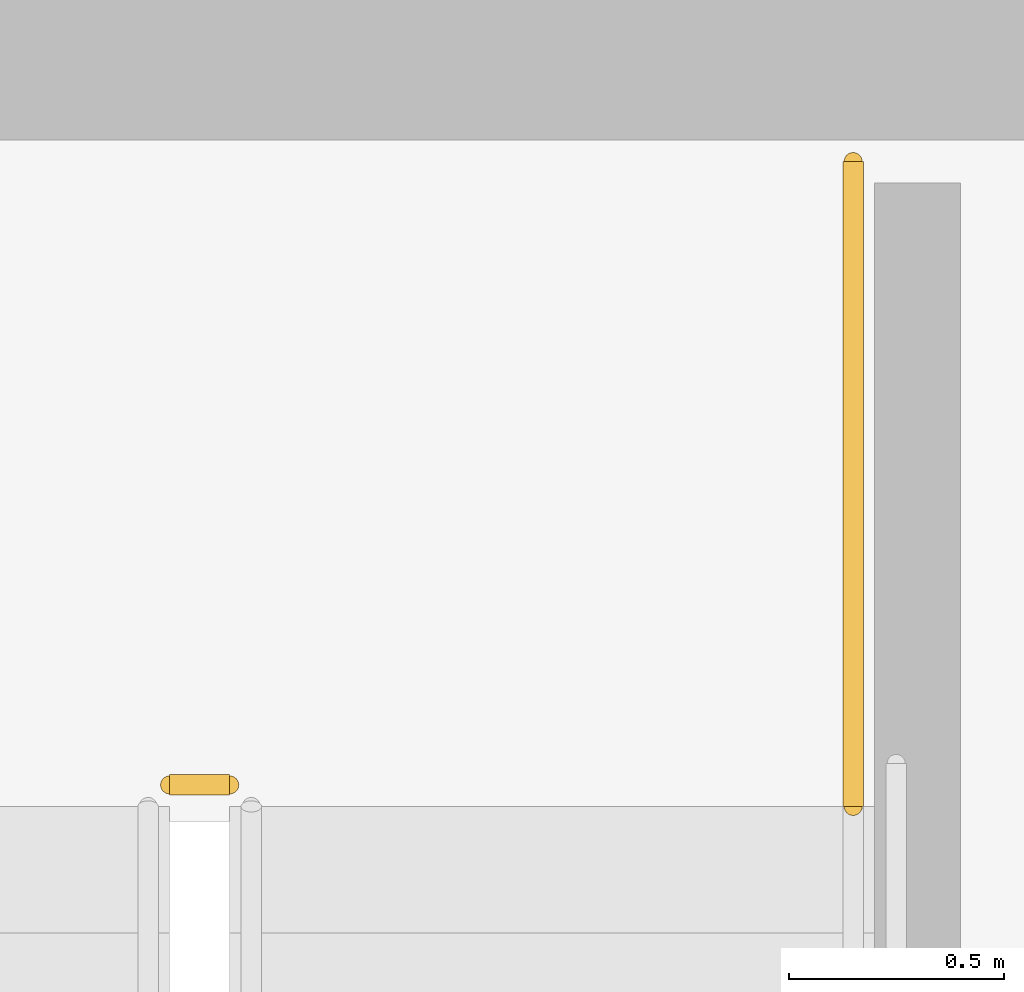
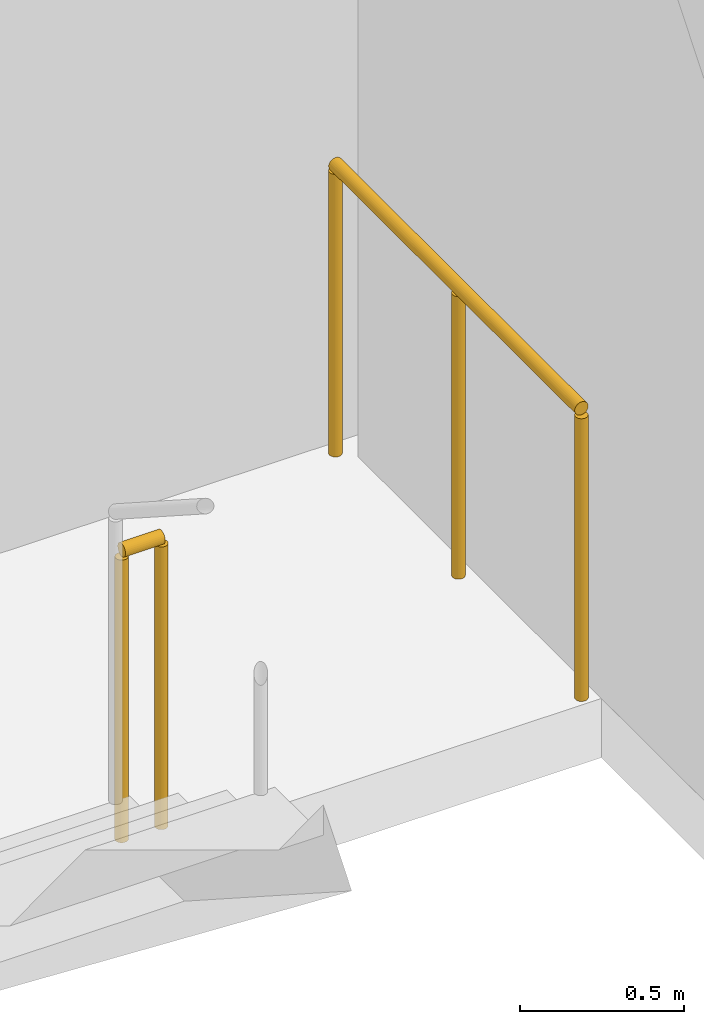
# One storey, part 33 of 33: 2 railings.
"""IFC4 building model written with IfcOpenShell, lengths in metres."""

import ifcopenshell
import ifcopenshell.guid

model = None  # the IFC model being written
_history = None  # IfcOwnerHistory: only IFC2X3 demands one
_inside = {}  # id of a spatial element -> (the spatial element, [elements in it])
_under = {}  # id of a project, library or spatial element -> (it, [spatial elements below it])
_declared = {}  # id of a project -> (the project, [libraries it declares])
_typed = {}  # id of a type object -> (the type object, [elements of that type])
_made_of = {}  # id of a material, layer set ... -> (it, [elements and type objects made of it])


def new_model(schema):
    """Start an empty IFC model of exactly this schema.

    Asked for "IFC4X3", IfcOpenShell would pick the latest addendum, in which some entities
    have other attributes; the version numbers below select the first issue.
    IFC2X3 requires an IfcOwnerHistory on every rooted entity: one is made here for all.
    """
    global model, _history
    if schema == "IFC4X3":
        model = ifcopenshell.file(schema_version=(4, 3, 0, 0))
    else:
        model = ifcopenshell.file(schema=schema)
    _inside.clear()
    _under.clear()
    _declared.clear()
    _typed.clear()
    _made_of.clear()
    _history = None
    if model.schema == "IFC2X3":
        org = make("IfcOrganization", Name="unknown")
        user = make(
            "IfcPersonAndOrganization",
            ThePerson=make("IfcPerson", FamilyName="unknown"),
            TheOrganization=org,
        )
        app = make(
            "IfcApplication",
            ApplicationDeveloper=org,
            Version="unknown",
            ApplicationFullName="unknown",
            ApplicationIdentifier="unknown",
        )
        _history = make(
            "IfcOwnerHistory",
            OwningUser=user,
            OwningApplication=app,
            ChangeAction="ADDED",
            CreationDate=0,
        )
    return model


def make(cls, **values):
    """One entity of the class cls with the attributes given. An attribute that is None is left unset."""
    return model.create_entity(
        cls, **{name: value for name, value in values.items() if value is not None}
    )


def rooted(cls, **values):
    """An entity with a GlobalId (a new one), such as an element, a storey or a relation."""
    return make(cls, GlobalId=ifcopenshell.guid.new(), OwnerHistory=_history, **values)


def si_unit(unit_type, name, prefix=None):
    """IfcSIUnit, for example si_unit("LENGTHUNIT", "METRE", prefix="MILLI")."""
    return make("IfcSIUnit", UnitType=unit_type, Prefix=prefix, Name=name)


def assignment(units):
    """IfcUnitAssignment: the units of a project."""
    return None if units is None else make("IfcUnitAssignment", Units=units)


def point(xyz):
    """IfcCartesianPoint."""
    return None if xyz is None else make("IfcCartesianPoint", Coordinates=xyz)


def direction(xyz):
    """IfcDirection."""
    return None if xyz is None else make("IfcDirection", DirectionRatios=xyz)


def frame(location, z_axis=None, x_axis=None):
    """IfcAxis2Placement3D, a coordinate frame: its origin and axes. An axis left out is left unset."""
    return make(
        "IfcAxis2Placement3D",
        Location=point(location),
        Axis=direction(z_axis),
        RefDirection=direction(x_axis),
    )


def frame_2d(location, x_axis=None):
    """IfcAxis2Placement2D, a coordinate frame in the plane: its origin and x axis."""
    return make(
        "IfcAxis2Placement2D", Location=point(location), RefDirection=direction(x_axis)
    )


def origin():
    """The frame at (0, 0, 0) with its axes left unset."""
    return frame((0.0, 0.0, 0.0))


def origin_2d():
    """The frame at (0, 0) in the plane with its x axis left unset."""
    return frame_2d((0.0, 0.0))


def place(relative_to, where):
    """IfcLocalPlacement: puts the frame where relative to a parent placement (None: the world)."""
    return make(
        "IfcLocalPlacement", PlacementRelTo=relative_to, RelativePlacement=where
    )


def context(
    kind, dimensions, precision=None, world=None, true_north=None, identifier=None
):
    """IfcGeometricRepresentationContext, for example the 3D "Model" context."""
    return make(
        "IfcGeometricRepresentationContext",
        ContextIdentifier=identifier,
        ContextType=kind,
        CoordinateSpaceDimension=dimensions,
        Precision=precision,
        WorldCoordinateSystem=world,
        TrueNorth=true_north,
    )


def subcontext(parent, identifier, kind, view, scale=None):
    """IfcGeometricRepresentationSubContext, for example "Body" below "Model"."""
    return make(
        "IfcGeometricRepresentationSubContext",
        ContextIdentifier=identifier,
        ContextType=kind,
        ParentContext=parent,
        TargetScale=scale,
        TargetView=view,
    )


def project(units=None, contexts=None):
    """IfcProject with its units and contexts."""
    return rooted(
        "IfcProject",
        Name="project",
        RepresentationContexts=contexts,
        UnitsInContext=assignment(units),
    )


def spatial(cls, under=None, at=None, **own):
    """A site, building, storey or space (cls), placed at a placement, below another one or the project."""
    s = rooted(cls, ObjectPlacement=at, **own)
    if under is not None:
        _under.setdefault(under.id(), (under, []))[1].append(s)
    return s


def profile(cls, at=None, kind="AREA", **sizes):
    """A parametric profile (cls). Its sizes go by their IFC names, for example OverallWidth=200.0."""
    return make(cls, ProfileType=kind, Position=at, **sizes)


def circle(**sizes):
    """IfcCircleProfileDef."""
    return profile("IfcCircleProfileDef", **sizes)


def extrude(swept, where, along, depth):
    """IfcExtrudedAreaSolid: the profile swept, set in the frame where, extruded along a direction by depth."""
    return make(
        "IfcExtrudedAreaSolid",
        SweptArea=swept,
        Position=where,
        ExtrudedDirection=direction(along),
        Depth=depth,
    )


def shape(context_of_items, identifier, shape_type, items):
    """IfcShapeRepresentation: the items that make up one representation, for example the "Body"."""
    return make(
        "IfcShapeRepresentation",
        ContextOfItems=context_of_items,
        RepresentationIdentifier=identifier,
        RepresentationType=shape_type,
        Items=items,
    )


def material(Name=None, Category=None):
    """IfcMaterial."""
    return make("IfcMaterial", Name=Name, Category=Category)


def layer(
    of_material, thickness, ventilated=None, Name=None, Category=None, Priority=None
):
    """IfcMaterialLayer: one layer of a wall or slab, of a material (None: an air gap)."""
    return make(
        "IfcMaterialLayer",
        Material=of_material,
        LayerThickness=thickness,
        IsVentilated=ventilated,
        Name=Name,
        Category=Category,
        Priority=Priority,
    )


def layer_set(layers, Name=None):
    """IfcMaterialLayerSet."""
    return make("IfcMaterialLayerSet", MaterialLayers=layers, LayerSetName=Name)


def made_of(thing, what):
    """Note that an element or type object is made of a material, layer set ...; save() writes the relation."""
    if what is not None:
        _made_of.setdefault(what.id(), (what, []))[1].append(thing)
    return thing


def type_object(cls, material=None, **own):
    """A type object (cls), such as IfcWallType, which elements share."""
    return made_of(rooted(cls, **own), material)


def element(
    cls,
    number,
    at=None,
    inside=None,
    cuts=None,
    type_object=None,
    material=None,
    context=None,
    identifier="Body",
    shape_type=None,
    held_by="IfcProductDefinitionShape",
    body=None,
    shapes=None,
    **own,
):
    """One element of the class cls, such as IfcWall. Its Tag is "e" and its number.

    at: its placement. inside: the storey or other place that contains it. cuts: it is an
    opening in that element (IfcRelVoidsElement). A single representation is given by context,
    identifier, shape_type and body (its items); several are given by shapes. held_by: the class
    of the entity that holds the representations. save() writes the other relations.
    """
    e = rooted(cls, Tag="e%d" % number, ObjectPlacement=at, **own)
    if body is not None:
        shapes = [shape(context, identifier, shape_type, body)]
    if shapes is not None:
        e.Representation = make(held_by, Representations=shapes)
    if inside is not None:
        _inside.setdefault(inside.id(), (inside, []))[1].append(e)
    if cuts is not None:
        rooted(
            "IfcRelVoidsElement", RelatingBuildingElement=cuts, RelatedOpeningElement=e
        )
    if type_object is not None:
        _typed.setdefault(type_object.id(), (type_object, []))[1].append(e)
    return made_of(e, material)


def aggregate(whole, parts):
    """IfcRelAggregates: a whole, such as a stair, and the parts it consists of."""
    return rooted("IfcRelAggregates", RelatingObject=whole, RelatedObjects=parts)


def save(model, path):
    """Write the relations noted so far, then the file.

    IfcRelAggregates (storeys below a building ...), IfcRelContainedInSpatialStructure (elements
    in a storey), IfcRelDefinesByType, IfcRelAssociatesMaterial and IfcRelDeclares: one each for
    every whole, place, type object, material and project.
    """
    for whole, parts in _under.values():
        aggregate(whole, parts)
    for where, things in _inside.values():
        rooted(
            "IfcRelContainedInSpatialStructure",
            RelatedElements=things,
            RelatingStructure=where,
        )
    for kind, things in _typed.values():
        rooted("IfcRelDefinesByType", RelatedObjects=things, RelatingType=kind)
    for what, things in _made_of.values():
        rooted("IfcRelAssociatesMaterial", RelatedObjects=things, RelatingMaterial=what)
    for by, libraries in _declared.values():
        rooted("IfcRelDeclares", RelatingContext=by, RelatedDefinitions=libraries)
    model.write(path)


model = new_model("IFC4")

# Units and contexts
model_context = context("Model", 3, precision=1e-05, world=origin(), true_north=direction((0.0, 1.0)))
body_context = subcontext(model_context, "Body", "Model", "MODEL_VIEW")
ifc_project = project(units=[si_unit("LENGTHUNIT", "METRE"), si_unit("AREAUNIT", "SQUARE_METRE"), si_unit("VOLUMEUNIT", "CUBIC_METRE"), si_unit("PLANEANGLEUNIT", "RADIAN"), si_unit("MASSUNIT", "GRAM", prefix="KILO")], contexts=[model_context])

# Site, building, storey
site_placement = place(None, origin())
site = spatial("IfcSite", under=ifc_project, at=site_placement, CompositionType="ELEMENT")
building_placement = place(site_placement, origin())
building = spatial("IfcBuilding", under=site, at=building_placement, Name="Ndaravel Arena Tower", CompositionType="ELEMENT")
storey_placement = place(building_placement, frame((0.0, 0.0, 165.0)))
storey = spatial("IfcBuildingStorey", under=building, at=storey_placement, Name="L39", CompositionType="ELEMENT", Elevation=165.0)

# Railings
ifc_material = material(Name="Steel S355", Category="steel")
ifc_layer = layer(ifc_material, 0.06005859375)
ifc_layer_set = layer_set([ifc_layer], Name="Steel S355")
railing_type = type_object("IfcRailingType", Name="RAIL-STAIR-GD1100", PredefinedType="GUARDRAIL", material=ifc_layer_set)
railing_1_placement = place(storey_placement, frame((55.10009765625, 13.300048828125, 0.0)))
element("IfcRailing", 1, at=railing_1_placement, inside=storey, type_object=railing_type, Name="L39 ST-3 stair guard 4", PredefinedType="GUARDRAIL", context=body_context, shape_type="SweptSolid", body=[
    extrude(circle(Radius=0.02392578125, at=origin_2d()), frame((0.0, 0.0, 1.076171875), z_axis=(1.0, 0.0, 0.0), x_axis=(0.0, 1.0, 0.0)), (0.0, 0.0, 1.0), 0.139892578125),
    extrude(circle(Radius=0.02099609375, at=origin_2d()), origin(), (0.0, 0.0, 1.0), 1.052001953125),
    extrude(circle(Radius=0.02099609375, at=origin_2d()), frame((0.139892578125, 0.0, 0.0)), (0.0, 0.0, 1.0), 1.052001953125),
])
railing_2_placement = place(storey_placement, frame((56.68994140625, 14.75, 0.0)))
element("IfcRailing", 2, at=railing_2_placement, inside=storey, type_object=railing_type, Name="L39 ST-3 stair guard 5", PredefinedType="GUARDRAIL", context=body_context, shape_type="SweptSolid", body=[
    extrude(circle(Radius=0.02392578125, at=origin_2d()), frame((0.0, 0.0, 1.076171875), z_axis=(0.0, -1.0, 0.0), x_axis=(1.0, 0.0, 0.0)), (0.0, 0.0, 1.0), 1.5),
    extrude(circle(Radius=0.02099609375, at=origin_2d()), origin(), (0.0, 0.0, 1.0), 1.052001953125),
    extrude(circle(Radius=0.02099609375, at=origin_2d()), frame((0.0, -0.75, 0.0)), (0.0, 0.0, 1.0), 1.052001953125),
    extrude(circle(Radius=0.02099609375, at=origin_2d()), frame((0.0, -1.5, 0.0)), (0.0, 0.0, 1.0), 1.052001953125),
])

save(model, "model.ifc")
